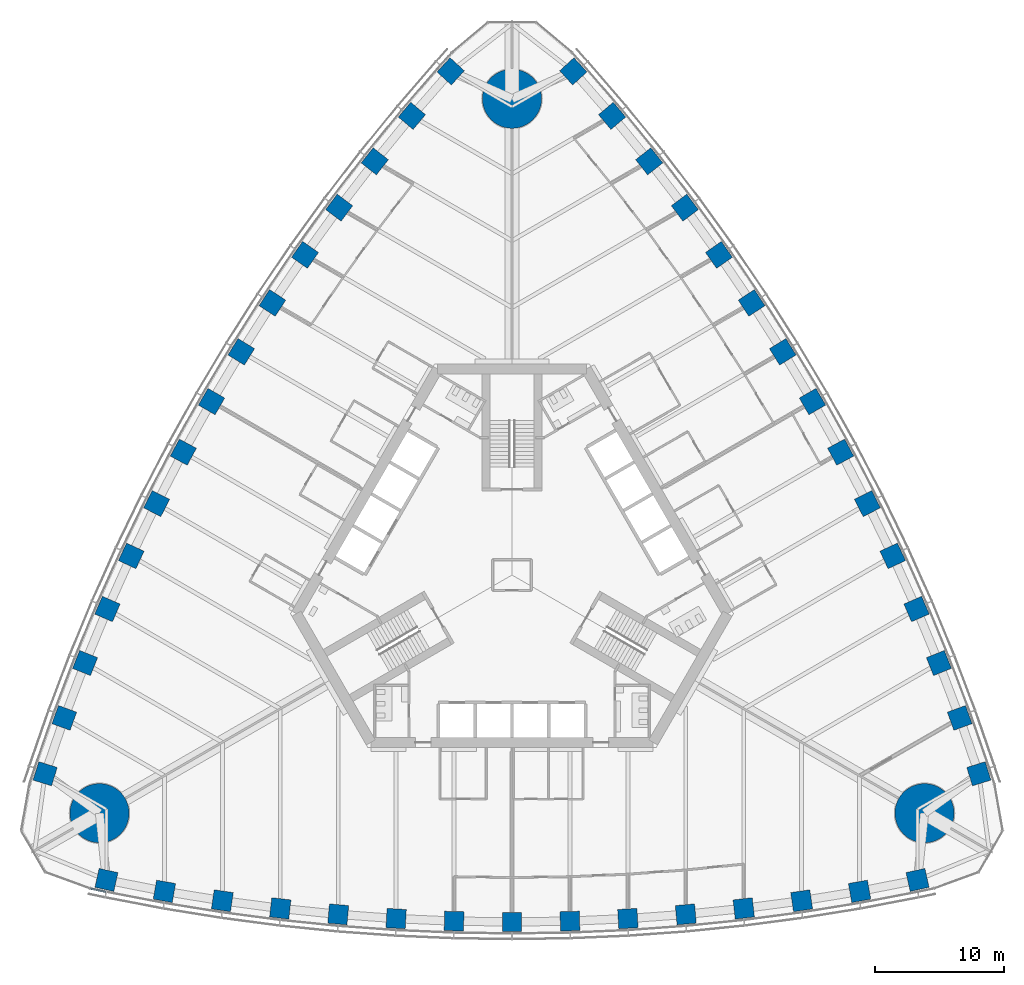
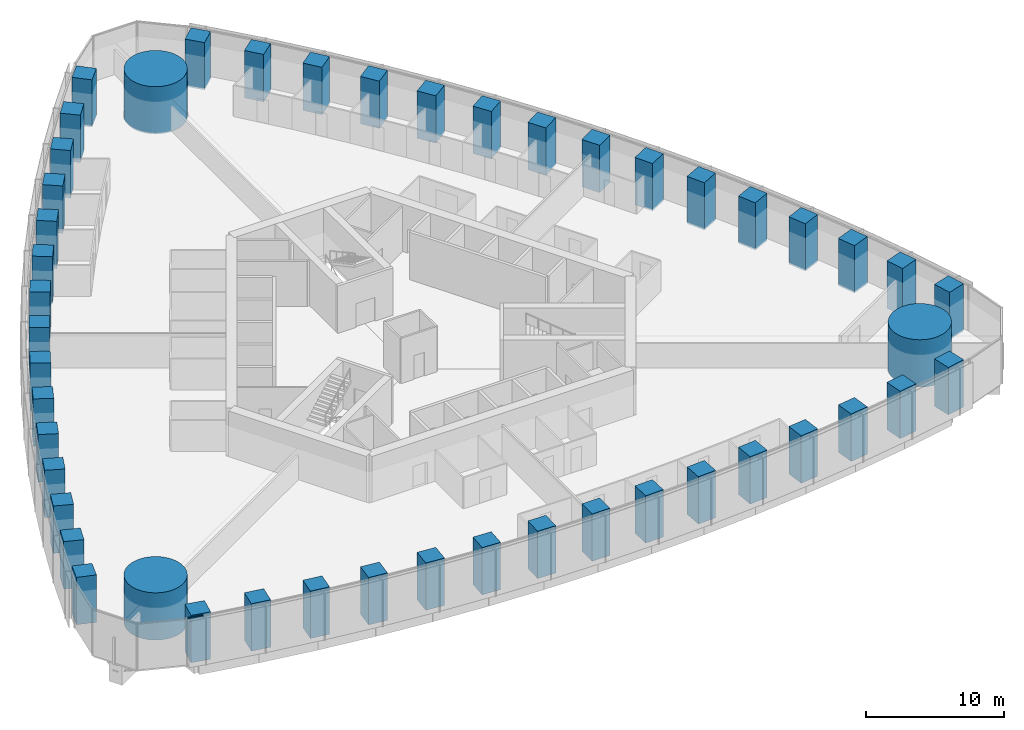
# One storey, part 1 of 18: 48 columns, 1 member, 1 element without a shape of its own.
"""IFC4 building model written with IfcOpenShell, lengths in metres."""

from ifc_helpers import new_model, si_unit, direction, frame, origin, origin_2d, place, context, subcontext, project, spatial, rectangle, circle, extrude, material, material_profile, profile_set, type_object, element, aggregate, save


model = new_model("IFC4")

# Units and contexts
model_context = context("Model", 3, precision=1e-05, world=origin(), true_north=direction((0.0, 1.0)))
body_context = subcontext(model_context, "Body", "Model", "MODEL_VIEW")
ifc_project = project(units=[si_unit("LENGTHUNIT", "METRE"), si_unit("AREAUNIT", "SQUARE_METRE"), si_unit("VOLUMEUNIT", "CUBIC_METRE"), si_unit("PLANEANGLEUNIT", "RADIAN"), si_unit("MASSUNIT", "GRAM", prefix="KILO")], contexts=[model_context])

# Site, building, storey
site_placement = place(None, origin())
site = spatial("IfcSite", under=ifc_project, at=site_placement, CompositionType="ELEMENT")
building_placement = place(site_placement, origin())
building = spatial("IfcBuilding", under=site, at=building_placement, Name="Trefoil Bronze Tower", CompositionType="ELEMENT")
storey_placement = place(building_placement, frame((0.0, 0.0, 37.5)))
storey = spatial("IfcBuildingStorey", under=building, at=storey_placement, Name="L08", CompositionType="ELEMENT", Elevation=37.5)

# Columns
ifc_material_1 = material(Name="Concrete B80", Category="concrete")
ifc_material_profile_1 = material_profile(ifc_material_1, circle(Radius=2.300048828125, at=origin_2d()), Name="RC D4600")
ifc_profile_set_1 = profile_set([ifc_material_profile_1], Name="Concrete B80")
column_type_1 = type_object("IfcColumnType", Name="Mega column RC D4600", PredefinedType="COLUMN", material=ifc_profile_set_1)
for number, where, z_axis, x_axis, name in (
    (1, (32.04296875, -18.5, 0.0), (0.0, 0.0, 1.0), (1.0, 0.0, 0.0), "Mega column K1 L08"),
    (2, (0.0, 37.0, 0.0), (0.0, 0.0, 1.0), (1.0, 0.0, 0.0), "Mega column K2 L08"),
    (3, (-32.04296875, -18.5, 0.0), (0.0, 0.0, 1.0), (1.0, 0.0, 0.0), "Mega column K3 L08"),
):
    element("IfcColumn", number, at=place(storey_placement, frame(where, z_axis=z_axis, x_axis=x_axis)), inside=storey, type_object=column_type_1, Name=name, PredefinedType="COLUMN", context=body_context, shape_type="SweptSolid", body=[
        extrude(circle(Radius=2.300048828125, at=origin_2d()), origin(), (0.0, 0.0, 1.0), 4.199951171875),
    ])
ifc_material_2 = material(Name="Concrete B80", Category="concrete")
ifc_material_profile_2 = material_profile(ifc_material_2, rectangle(XDim=1.5, YDim=1.5, at=origin_2d()), Name="RC 1500x1500")
ifc_profile_set_2 = profile_set([ifc_material_profile_2], Name="Concrete B80")
column_type_2 = type_object("IfcColumnType", Name="Tube column RC 1500x1500", PredefinedType="COLUMN", material=ifc_profile_set_2)
for number, where, z_axis, x_axis, name in (
    (4, (-31.5, -23.684814453125, 0.0), (0.0, 0.0, 1.0), (0.976229647342, -0.216738726697, 0.0), "Tube column F1/-7 L08"),
    (5, (-27.0, -24.56787109375, 0.0), (0.0, 0.0, 1.0), (0.984722470468, -0.174131146426, 0.0), "Tube column F1/-6 L08"),
    (6, (-22.5, -25.29931640625, 0.0), (0.0, 0.0, 1.0), (0.989415676546, -0.145108990094, 0.0), "Tube column F1/-5 L08"),
    (7, (-18.0, -25.895263671875, 0.0), (0.0, 0.0, 1.0), (0.993239048989, -0.116086999973, 0.0), "Tube column F1/-4 L08"),
    (8, (-13.5, -26.35693359375, 0.0), (0.0, 0.0, 1.0), (0.996202620701, -0.087065139456, 0.0), "Tube column F1/-3 L08"),
    (9, (-9.0, -26.68603515625, 0.0), (0.0, 0.0, 1.0), (0.998314062162, -0.058043374207, 0.0), "Tube column F1/-2 L08"),
    (10, (-4.5, -26.883056640625, 0.0), (0.0, 0.0, 1.0), (0.999578782577, -0.029021671584, 0.0), "Tube column F1/-1 L08"),
    (11, (0.0, -26.94873046875, 0.0), (0.0, 0.0, 1.0), (1.0, 0.0, 0.0), "Tube column F1/+0 L08"),
    (12, (4.5, -26.883056640625, 0.0), (0.0, 0.0, 1.0), (0.999578782577, 0.029021671584, 0.0), "Tube column F1/+1 L08"),
    (13, (9.0, -26.68603515625, 0.0), (0.0, 0.0, 1.0), (0.998314062162, 0.058043374207, 0.0), "Tube column F1/+2 L08"),
    (14, (13.5, -26.35693359375, 0.0), (0.0, 0.0, 1.0), (0.996202620701, 0.087065139456, 0.0), "Tube column F1/+3 L08"),
    (15, (18.0, -25.895263671875, 0.0), (0.0, 0.0, 1.0), (0.993239048989, 0.116086999973, 0.0), "Tube column F1/+4 L08"),
    (16, (22.5, -25.29931640625, 0.0), (0.0, 0.0, 1.0), (0.989415676546, 0.145108990094, 0.0), "Tube column F1/+5 L08"),
    (17, (27.0, -24.56787109375, 0.0), (0.0, 0.0, 1.0), (0.984722470468, 0.174131146426, 0.0), "Tube column F1/+6 L08"),
    (18, (31.5, -23.684814453125, 0.0), (0.0, 0.0, 1.0), (0.976229647342, 0.216738726697, 0.0), "Tube column F1/+7 L08"),
    (19, (36.26171875, -15.4375, 0.0), (0.0, 0.0, 1.0), (-0.300413580368, 0.953809037874, 0.0), "Tube column F2/-7 L08"),
    (20, (34.7763671875, -11.0986328125, 0.0), (0.0, 0.0, 1.0), (-0.341559238839, 0.939860248316, 0.0), "Tube column F2/-6 L08"),
    (21, (33.159912109375, -6.8359375, 0.0), (0.0, 0.0, 1.0), (-0.369039766534, 0.929413605838, 0.0), "Tube column F2/-5 L08"),
    (22, (31.42578125, -2.640869140625, 0.0), (0.0, 0.0, 1.0), (-0.396085233469, 0.918213748442, 0.0), "Tube column F2/-4 L08"),
    (23, (29.575927734375, 1.487060546875, 0.0), (0.0, 0.0, 1.0), (-0.422700687798, 0.906269346572, 0.0), "Tube column F2/-3 L08"),
    (24, (27.61083984375, 5.548828125, 0.0), (0.0, 0.0, 1.0), (-0.448889994497, 0.893587025891, 0.0), "Tube column F2/-2 L08"),
    (25, (25.531494140625, 9.54443359375, 0.0), (0.0, 0.0, 1.0), (-0.474655886437, 0.880171454588, 0.0), "Tube column F2/-1 L08"),
    (26, (23.33837890625, 13.474365234375, 0.0), (0.0, 0.0, 1.0), (-0.5, 0.866025403784, 0.0), "Tube column F2/+0 L08"),
    (27, (21.031494140625, 17.338623046875, 0.0), (0.0, 0.0, 1.0), (-0.524922896141, 0.851149783004, 0.0), "Tube column F2/+1 L08"),
    (28, (18.61083984375, 21.13720703125, 0.0), (0.0, 0.0, 1.0), (-0.549424067665, 0.835543651684, 0.0), "Tube column F2/+2 L08"),
    (29, (16.075927734375, 24.869873046875, 0.0), (0.0, 0.0, 1.0), (-0.573501932903, 0.819204207116, 0.0), "Tube column F2/+3 L08"),
    (30, (13.42578125, 28.5361328125, 0.0), (0.0, 0.0, 1.0), (-0.59715381552, 0.802126748469, 0.0), "Tube column F2/+4 L08"),
    (31, (10.659912109375, 32.13525390625, 0.0), (0.0, 0.0, 1.0), (-0.620375910011, 0.784304615744, 0.0), "Tube column F2/+5 L08"),
    (32, (7.7763671875, 35.666748046875, 0.0), (0.0, 0.0, 1.0), (-0.643163231629, 0.765729101889, 0.0), "Tube column F2/+6 L08"),
    (33, (4.76171875, 39.122314453125, 0.0), (0.0, 0.0, 1.0), (-0.675816066975, 0.737070311177, 0.0), "Tube column F2/+7 L08"),
    (34, (-4.76171875, 39.122314453125, 0.0), (0.0, 0.0, 1.0), (-0.675816066975, -0.737070311177, 0.0), "Tube column F3/-7 L08"),
    (35, (-7.7763671875, 35.666748046875, 0.0), (0.0, 0.0, 1.0), (-0.643163231629, -0.765729101889, 0.0), "Tube column F3/-6 L08"),
    (36, (-10.659912109375, 32.13525390625, 0.0), (0.0, 0.0, 1.0), (-0.620375910011, -0.784304615744, 0.0), "Tube column F3/-5 L08"),
    (37, (-13.42578125, 28.5361328125, 0.0), (0.0, 0.0, 1.0), (-0.59715381552, -0.802126748469, 0.0), "Tube column F3/-4 L08"),
    (38, (-16.075927734375, 24.869873046875, 0.0), (0.0, 0.0, 1.0), (-0.573501932903, -0.819204207116, 0.0), "Tube column F3/-3 L08"),
    (39, (-18.61083984375, 21.13720703125, 0.0), (0.0, 0.0, 1.0), (-0.549424067665, -0.835543651684, 0.0), "Tube column F3/-2 L08"),
    (40, (-21.031494140625, 17.338623046875, 0.0), (0.0, 0.0, 1.0), (-0.524922896141, -0.851149783004, 0.0), "Tube column F3/-1 L08"),
    (41, (-23.33837890625, 13.474365234375, 0.0), (0.0, 0.0, 1.0), (-0.5, -0.866025403784, 0.0), "Tube column F3/+0 L08"),
    (42, (-25.531494140625, 9.54443359375, 0.0), (0.0, 0.0, 1.0), (-0.474655886437, -0.880171454588, 0.0), "Tube column F3/+1 L08"),
    (43, (-27.61083984375, 5.548828125, 0.0), (0.0, 0.0, 1.0), (-0.448889994497, -0.893587025891, 0.0), "Tube column F3/+2 L08"),
    (44, (-29.575927734375, 1.487060546875, 0.0), (0.0, 0.0, 1.0), (-0.422700687798, -0.906269346572, 0.0), "Tube column F3/+3 L08"),
    (45, (-31.42578125, -2.640869140625, 0.0), (0.0, 0.0, 1.0), (-0.396085233469, -0.918213748442, 0.0), "Tube column F3/+4 L08"),
    (46, (-33.159912109375, -6.8359375, 0.0), (0.0, 0.0, 1.0), (-0.369039766534, -0.929413605838, 0.0), "Tube column F3/+5 L08"),
    (47, (-34.7763671875, -11.0986328125, 0.0), (0.0, 0.0, 1.0), (-0.341559238839, -0.939860248316, 0.0), "Tube column F3/+6 L08"),
    (48, (-36.26171875, -15.4375, 0.0), (0.0, 0.0, 1.0), (-0.300413580368, -0.953809037874, 0.0), "Tube column F3/+7 L08"),
):
    element("IfcColumn", number, at=place(storey_placement, frame(where, z_axis=z_axis, x_axis=x_axis)), inside=storey, type_object=column_type_2, Name=name, PredefinedType="COLUMN", context=body_context, shape_type="SweptSolid", body=[
        extrude(rectangle(XDim=1.5, YDim=1.5, at=origin_2d()), origin(), (0.0, 0.0, 1.0), 4.199951171875),
    ])

# Curtain wall, member
ifc_material_3 = material(Name="Tinted solar-control glass", Category="glass")
curtain_wall_type = type_object("IfcCurtainWallType", Name="Bronze office curtain wall", PredefinedType="USERDEFINED", material=ifc_material_3)
curtain_wall_placement = place(storey_placement, origin())
curtain_wall = element("IfcCurtainWall", 49, at=curtain_wall_placement, inside=storey, type_object=curtain_wall_type, Name="CW-A L08 F1", ObjectType="CURTAIN WALL", PredefinedType="USERDEFINED")
ifc_material_4 = material(Name="Bronze-finish aluminium", Category="aluminium")
ifc_material_profile_3 = material_profile(ifc_material_4, rectangle(XDim=0.1201171875, YDim=0.10009765625, at=origin_2d()), Name="CW-A transom")
ifc_profile_set_3 = profile_set([ifc_material_profile_3], Name="Bronze-finish aluminium")
member_type = type_object("IfcMemberType", Name="Bronze office curtain wall transom", PredefinedType="USERDEFINED", material=ifc_profile_set_3)
member_placement = place(storey_placement, frame((-32.743896484375, -24.354736328125, 4.1298828125), z_axis=(0.978266371807, -0.207352129942, 0.0), x_axis=(0.207352129942, 0.978266371807, 0.0)))
member = element("IfcMember", 50, at=member_placement, type_object=member_type, Name="CW-A L08 F1 transom 1", ObjectType="TRANSOM", PredefinedType="USERDEFINED", context=body_context, shape_type="SweptSolid", body=[
    extrude(rectangle(XDim=0.1201171875, YDim=0.10009765625, at=origin_2d()), origin(), (0.0, 0.0, 1.0), 1.21044921875),
])
aggregate(curtain_wall, [member])

save(model, "model.ifc")
